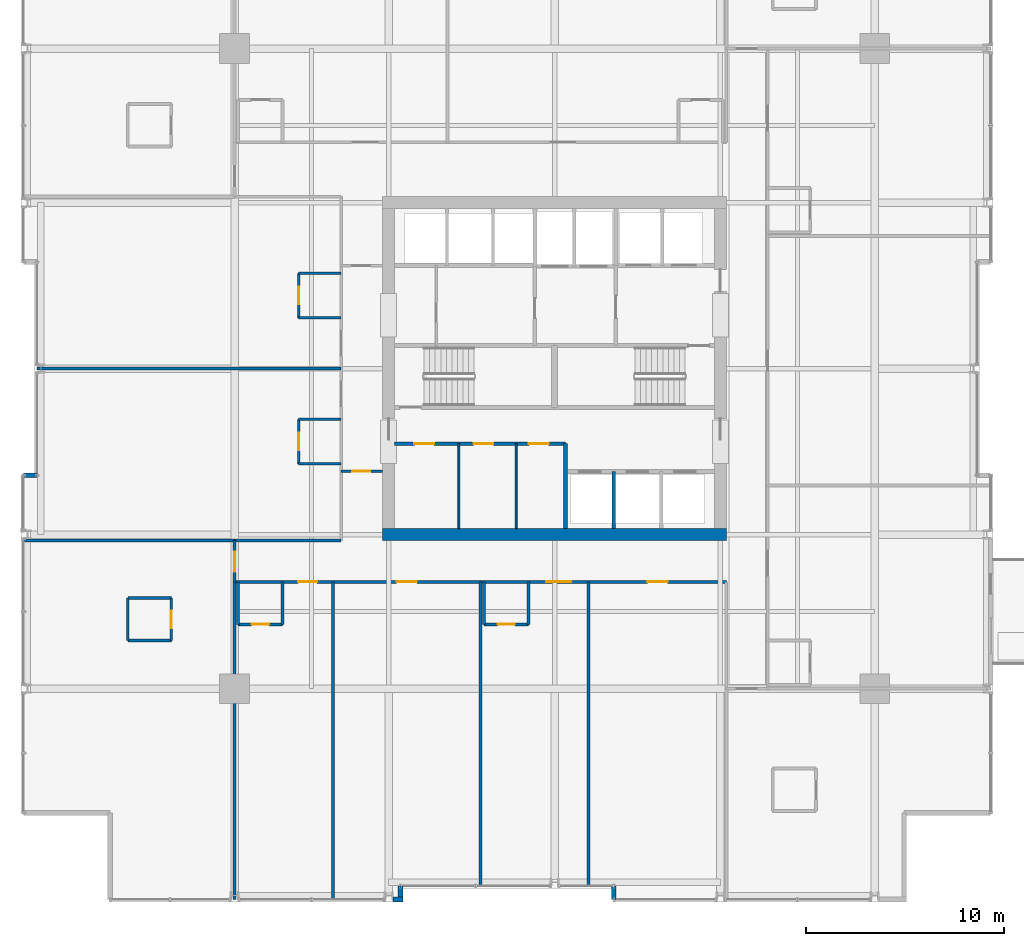
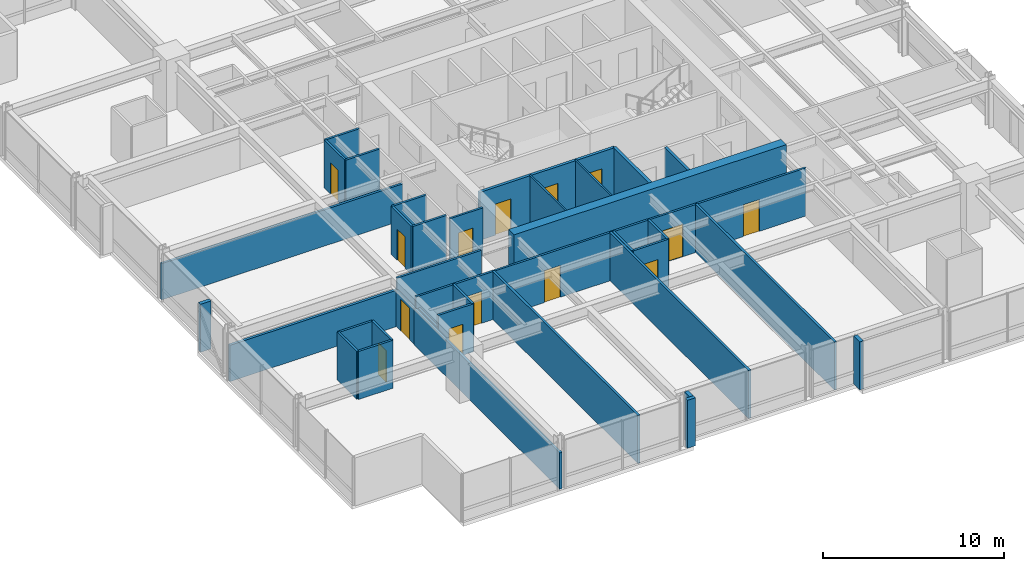
# One storey, part 28 of 34: 36 walls, 14 doors, 14 openings.
"""IFC4 building model written with IfcOpenShell, lengths in metres."""

import ifcopenshell
import ifcopenshell.guid

model = None  # the IFC model being written
_history = None  # IfcOwnerHistory: only IFC2X3 demands one
_inside = {}  # id of a spatial element -> (the spatial element, [elements in it])
_under = {}  # id of a project, library or spatial element -> (it, [spatial elements below it])
_declared = {}  # id of a project -> (the project, [libraries it declares])
_typed = {}  # id of a type object -> (the type object, [elements of that type])
_made_of = {}  # id of a material, layer set ... -> (it, [elements and type objects made of it])


def new_model(schema):
    """Start an empty IFC model of exactly this schema.

    Asked for "IFC4X3", IfcOpenShell would pick the latest addendum, in which some entities
    have other attributes; the version numbers below select the first issue.
    IFC2X3 requires an IfcOwnerHistory on every rooted entity: one is made here for all.
    """
    global model, _history
    if schema == "IFC4X3":
        model = ifcopenshell.file(schema_version=(4, 3, 0, 0))
    else:
        model = ifcopenshell.file(schema=schema)
    _inside.clear()
    _under.clear()
    _declared.clear()
    _typed.clear()
    _made_of.clear()
    _history = None
    if model.schema == "IFC2X3":
        org = make("IfcOrganization", Name="unknown")
        user = make(
            "IfcPersonAndOrganization",
            ThePerson=make("IfcPerson", FamilyName="unknown"),
            TheOrganization=org,
        )
        app = make(
            "IfcApplication",
            ApplicationDeveloper=org,
            Version="unknown",
            ApplicationFullName="unknown",
            ApplicationIdentifier="unknown",
        )
        _history = make(
            "IfcOwnerHistory",
            OwningUser=user,
            OwningApplication=app,
            ChangeAction="ADDED",
            CreationDate=0,
        )
    return model


def make(cls, **values):
    """One entity of the class cls with the attributes given. An attribute that is None is left unset."""
    return model.create_entity(
        cls, **{name: value for name, value in values.items() if value is not None}
    )


def rooted(cls, **values):
    """An entity with a GlobalId (a new one), such as an element, a storey or a relation."""
    return make(cls, GlobalId=ifcopenshell.guid.new(), OwnerHistory=_history, **values)


def si_unit(unit_type, name, prefix=None):
    """IfcSIUnit, for example si_unit("LENGTHUNIT", "METRE", prefix="MILLI")."""
    return make("IfcSIUnit", UnitType=unit_type, Prefix=prefix, Name=name)


def assignment(units):
    """IfcUnitAssignment: the units of a project."""
    return None if units is None else make("IfcUnitAssignment", Units=units)


def point(xyz):
    """IfcCartesianPoint."""
    return None if xyz is None else make("IfcCartesianPoint", Coordinates=xyz)


def direction(xyz):
    """IfcDirection."""
    return None if xyz is None else make("IfcDirection", DirectionRatios=xyz)


def frame(location, z_axis=None, x_axis=None):
    """IfcAxis2Placement3D, a coordinate frame: its origin and axes. An axis left out is left unset."""
    return make(
        "IfcAxis2Placement3D",
        Location=point(location),
        Axis=direction(z_axis),
        RefDirection=direction(x_axis),
    )


def frame_2d(location, x_axis=None):
    """IfcAxis2Placement2D, a coordinate frame in the plane: its origin and x axis."""
    return make(
        "IfcAxis2Placement2D", Location=point(location), RefDirection=direction(x_axis)
    )


def origin():
    """The frame at (0, 0, 0) with its axes left unset."""
    return frame((0.0, 0.0, 0.0))


def place(relative_to, where):
    """IfcLocalPlacement: puts the frame where relative to a parent placement (None: the world)."""
    return make(
        "IfcLocalPlacement", PlacementRelTo=relative_to, RelativePlacement=where
    )


def context(
    kind, dimensions, precision=None, world=None, true_north=None, identifier=None
):
    """IfcGeometricRepresentationContext, for example the 3D "Model" context."""
    return make(
        "IfcGeometricRepresentationContext",
        ContextIdentifier=identifier,
        ContextType=kind,
        CoordinateSpaceDimension=dimensions,
        Precision=precision,
        WorldCoordinateSystem=world,
        TrueNorth=true_north,
    )


def subcontext(parent, identifier, kind, view, scale=None):
    """IfcGeometricRepresentationSubContext, for example "Body" below "Model"."""
    return make(
        "IfcGeometricRepresentationSubContext",
        ContextIdentifier=identifier,
        ContextType=kind,
        ParentContext=parent,
        TargetScale=scale,
        TargetView=view,
    )


def project(units=None, contexts=None):
    """IfcProject with its units and contexts."""
    return rooted(
        "IfcProject",
        Name="project",
        RepresentationContexts=contexts,
        UnitsInContext=assignment(units),
    )


def spatial(cls, under=None, at=None, **own):
    """A site, building, storey or space (cls), placed at a placement, below another one or the project."""
    s = rooted(cls, ObjectPlacement=at, **own)
    if under is not None:
        _under.setdefault(under.id(), (under, []))[1].append(s)
    return s


def profile(cls, at=None, kind="AREA", **sizes):
    """A parametric profile (cls). Its sizes go by their IFC names, for example OverallWidth=200.0."""
    return make(cls, ProfileType=kind, Position=at, **sizes)


def rectangle(**sizes):
    """IfcRectangleProfileDef."""
    return profile("IfcRectangleProfileDef", **sizes)


def extrude(swept, where, along, depth):
    """IfcExtrudedAreaSolid: the profile swept, set in the frame where, extruded along a direction by depth."""
    return make(
        "IfcExtrudedAreaSolid",
        SweptArea=swept,
        Position=where,
        ExtrudedDirection=direction(along),
        Depth=depth,
    )


def shape(context_of_items, identifier, shape_type, items):
    """IfcShapeRepresentation: the items that make up one representation, for example the "Body"."""
    return make(
        "IfcShapeRepresentation",
        ContextOfItems=context_of_items,
        RepresentationIdentifier=identifier,
        RepresentationType=shape_type,
        Items=items,
    )


def material(Name=None, Category=None):
    """IfcMaterial."""
    return make("IfcMaterial", Name=Name, Category=Category)


def layer(
    of_material, thickness, ventilated=None, Name=None, Category=None, Priority=None
):
    """IfcMaterialLayer: one layer of a wall or slab, of a material (None: an air gap)."""
    return make(
        "IfcMaterialLayer",
        Material=of_material,
        LayerThickness=thickness,
        IsVentilated=ventilated,
        Name=Name,
        Category=Category,
        Priority=Priority,
    )


def layer_set(layers, Name=None):
    """IfcMaterialLayerSet."""
    return make("IfcMaterialLayerSet", MaterialLayers=layers, LayerSetName=Name)


def made_of(thing, what):
    """Note that an element or type object is made of a material, layer set ...; save() writes the relation."""
    if what is not None:
        _made_of.setdefault(what.id(), (what, []))[1].append(thing)
    return thing


def type_object(cls, material=None, **own):
    """A type object (cls), such as IfcWallType, which elements share."""
    return made_of(rooted(cls, **own), material)


def element(
    cls,
    number,
    at=None,
    inside=None,
    cuts=None,
    type_object=None,
    material=None,
    context=None,
    identifier="Body",
    shape_type=None,
    held_by="IfcProductDefinitionShape",
    body=None,
    shapes=None,
    **own,
):
    """One element of the class cls, such as IfcWall. Its Tag is "e" and its number.

    at: its placement. inside: the storey or other place that contains it. cuts: it is an
    opening in that element (IfcRelVoidsElement). A single representation is given by context,
    identifier, shape_type and body (its items); several are given by shapes. held_by: the class
    of the entity that holds the representations. save() writes the other relations.
    """
    e = rooted(cls, Tag="e%d" % number, ObjectPlacement=at, **own)
    if body is not None:
        shapes = [shape(context, identifier, shape_type, body)]
    if shapes is not None:
        e.Representation = make(held_by, Representations=shapes)
    if inside is not None:
        _inside.setdefault(inside.id(), (inside, []))[1].append(e)
    if cuts is not None:
        rooted(
            "IfcRelVoidsElement", RelatingBuildingElement=cuts, RelatedOpeningElement=e
        )
    if type_object is not None:
        _typed.setdefault(type_object.id(), (type_object, []))[1].append(e)
    return made_of(e, material)


def fill(opening, filler):
    """IfcRelFillsElement: the door or window that sits in an opening."""
    return rooted(
        "IfcRelFillsElement",
        RelatingOpeningElement=opening,
        RelatedBuildingElement=filler,
    )


def aggregate(whole, parts):
    """IfcRelAggregates: a whole, such as a stair, and the parts it consists of."""
    return rooted("IfcRelAggregates", RelatingObject=whole, RelatedObjects=parts)


def save(model, path):
    """Write the relations noted so far, then the file.

    IfcRelAggregates (storeys below a building ...), IfcRelContainedInSpatialStructure (elements
    in a storey), IfcRelDefinesByType, IfcRelAssociatesMaterial and IfcRelDeclares: one each for
    every whole, place, type object, material and project.
    """
    for whole, parts in _under.values():
        aggregate(whole, parts)
    for where, things in _inside.values():
        rooted(
            "IfcRelContainedInSpatialStructure",
            RelatedElements=things,
            RelatingStructure=where,
        )
    for kind, things in _typed.values():
        rooted("IfcRelDefinesByType", RelatedObjects=things, RelatingType=kind)
    for what, things in _made_of.values():
        rooted("IfcRelAssociatesMaterial", RelatedObjects=things, RelatingMaterial=what)
    for by, libraries in _declared.values():
        rooted("IfcRelDeclares", RelatingContext=by, RelatedDefinitions=libraries)
    model.write(path)


model = new_model("IFC4")

# Units and contexts
model_context = context("Model", 3, precision=1e-05, world=origin(), true_north=direction((0.0, 1.0)))
body_context = subcontext(model_context, "Body", "Model", "MODEL_VIEW")
ifc_project = project(units=[si_unit("LENGTHUNIT", "METRE"), si_unit("AREAUNIT", "SQUARE_METRE"), si_unit("VOLUMEUNIT", "CUBIC_METRE"), si_unit("PLANEANGLEUNIT", "RADIAN"), si_unit("MASSUNIT", "GRAM", prefix="KILO")], contexts=[model_context])

# Site, building, storey
site_placement = place(None, origin())
site = spatial("IfcSite", under=ifc_project, at=site_placement, CompositionType="ELEMENT")
building_placement = place(site_placement, origin())
building = spatial("IfcBuilding", under=site, at=building_placement, Name="Drelvath Grand Hotel", CompositionType="ELEMENT")
storey_placement = place(building_placement, frame((0.0, 0.0, 112.800048828125)))
storey = spatial("IfcBuildingStorey", under=building, at=storey_placement, Name="L28", CompositionType="ELEMENT", Elevation=112.800048828125)

# Walls
ifc_material_1 = material(Name="Gypsum Partition Board")
ifc_layer_1 = layer(ifc_material_1, 0.10009765625)
ifc_layer_set_1 = layer_set([ifc_layer_1], Name="Gypsum Partition Board")
wall_type_1 = type_object("IfcWallType", Name="Core Closet Partition 100", PredefinedType="PARTITIONING", material=ifc_layer_set_1)
for number, where, z_axis, x_axis, name in (
    (1, (-4.840087890625, 18.89990234375, 0.0), (0.0, 0.0, 1.0), (0.0, 1.0, 0.0), "L28 Reclaimed Split 1"),
    (2, (-1.93994140625, 18.89990234375, 0.0), (0.0, 0.0, 1.0), (0.0, 1.0, 0.0), "L28 Reclaimed Split 2"),
):
    element("IfcWall", number, at=place(storey_placement, frame(where, z_axis=z_axis, x_axis=x_axis)), inside=storey, type_object=wall_type_1, Name=name, PredefinedType="PARTITIONING", context=body_context, shape_type="SweptSolid", body=[
        extrude(rectangle(XDim=4.300048828125, YDim=0.10009765625, at=frame_2d((2.14990234375, 0.0))), origin(), (0.0, 0.0, 1.0), 3.239990234375),
    ])
ifc_material_2 = material(Name="Concrete C40/50", Category="concrete")
ifc_layer_2 = layer(ifc_material_2, 0.199951171875)
ifc_layer_set_2 = layer_set([ifc_layer_2], Name="Concrete C40/50")
wall_type_2 = type_object("IfcWallType", Name="Core Hoistway Fire Wall 200", PredefinedType="SOLIDWALL", material=ifc_layer_set_2)
wall_1_placement = place(storey_placement, frame((0.550048828125, 18.89990234375, 0.0), z_axis=(0.0, 0.0, 1.0), x_axis=(0.0, 1.0, 0.0)))
element("IfcWall", 3, at=wall_1_placement, inside=storey, type_object=wall_type_2, Name="L28 Bank 2 West Wall", PredefinedType="SOLIDWALL", context=body_context, shape_type="SweptSolid", body=[
    extrude(rectangle(XDim=4.300048828125, YDim=0.199951171875, at=frame_2d((2.14990234375, 0.0))), origin(), (0.0, 0.0, 1.0), 3.239990234375),
])
ifc_material_3 = material(Name="Gypsum Fireboard Partition")
ifc_layer_3 = layer(ifc_material_3, 0.1650390625)
ifc_layer_set_3 = layer_set([ifc_layer_3], Name="Gypsum Fireboard Partition")
wall_type_3 = type_object("IfcWallType", Name="Core Shaft Partition 165", PredefinedType="PARTITIONING", material=ifc_layer_set_3)
wall_2_placement = place(storey_placement, frame((3.0, 18.89990234375, 0.0), z_axis=(0.0, 0.0, 1.0), x_axis=(0.0, 1.0, 0.0)))
element("IfcWall", 4, at=wall_2_placement, inside=storey, type_object=wall_type_3, Name="L28 Lift PE-4/5 Divider", PredefinedType="PARTITIONING", context=body_context, shape_type="SweptSolid", body=[
    extrude(rectangle(XDim=2.880126953125, YDim=0.1650390625, at=frame_2d((1.43994140625, 0.0))), origin(), (0.0, 0.0, 1.0), 3.239990234375),
])

# Wall, opening, door
ifc_layer_4 = layer(ifc_material_3, 0.135009765625)
ifc_layer_set_4 = layer_set([ifc_layer_4], Name="Gypsum Fireboard Partition")
wall_type_4 = type_object("IfcWallType", Name="Corridor Fire Barrier Wall 135", PredefinedType="PARTITIONING", material=ifc_layer_set_4)
wall_3_placement = place(storey_placement, frame((-10.800048828125, 21.800048828125, 0.0), z_axis=(0.0, 0.0, 1.0), x_axis=(1.0, 0.0, 0.0)))
wall_3 = element("IfcWall", 5, at=wall_3_placement, inside=storey, type_object=wall_type_4, Name="L28 West Foyer South Wall", PredefinedType="PARTITIONING", context=body_context, shape_type="SweptSolid", body=[
    extrude(rectangle(XDim=2.10009765625, YDim=0.135009765625, at=frame_2d((1.050048828125, 0.0))), origin(), (0.0, 0.0, 1.0), 3.239990234375),
])
opening_1_placement = place(wall_3_placement, frame((0.550048828125, 0.0, 0.0)))
opening_1 = element("IfcOpeningElement", 6, at=opening_1_placement, cuts=wall_3, Name="Opening D-T2G3-019", PredefinedType="OPENING", context=body_context, shape_type="SweptSolid", body=[
    extrude(rectangle(XDim=0.919921875, YDim=2.10009765625, at=frame_2d((0.4599609375, 1.050048828125))), frame((0.0, 0.077392578125, 0.0), z_axis=(0.0, -1.0, 0.0), x_axis=(1.0, 0.0, 0.0)), (0.0, 0.0, 1.0), 0.155029296875),
])
ifc_material_4 = material(Name="Painted Steel S275", Category="steel")
door_type_1 = type_object("IfcDoorType", Name="Staff Utility Door 920x2100", OperationType="NOTDEFINED", PredefinedType="DOOR", material=ifc_material_4)
door_1_placement = place(opening_1_placement, origin())
door_1 = element("IfcDoor", 7, at=door_1_placement, inside=storey, type_object=door_type_1, Name="L28 West Linen Closet Door", OperationType="SINGLE_SWING_RIGHT", OverallHeight=2.10009765625, OverallWidth=0.919921875, PredefinedType="DOOR", context=body_context, shape_type="SweptSolid", body=[
    extrude(rectangle(XDim=0.919921875, YDim=2.10009765625, at=frame_2d((0.4599609375, 1.050048828125))), frame((0.0, 0.02490234375, 0.0), z_axis=(0.0, -1.0, 0.0), x_axis=(1.0, 0.0, 0.0)), (0.0, 0.0, 1.0), 0.050048828125),
])
fill(opening_1, door_1)

# Wall
wall_4_placement = place(storey_placement, frame((-16.199951171875, 18.300048828125, 0.0), z_axis=(0.0, 0.0, 1.0), x_axis=(1.0, 0.0, 0.0)))
element("IfcWall", 8, at=wall_4_placement, inside=storey, type_object=wall_type_4, Name="L28 SW Stub North Wall", PredefinedType="PARTITIONING", context=body_context, shape_type="SweptSolid", body=[
    extrude(rectangle(XDim=5.39990234375, YDim=0.135009765625, at=frame_2d((2.699951171875, 0.0))), origin(), (0.0, 0.0, 1.0), 3.239990234375),
])

# Wall, openings, doors
wall_5_placement = place(storey_placement, frame((-16.199951171875, 16.199951171875, 0.0), z_axis=(0.0, 0.0, 1.0), x_axis=(1.0, 0.0, 0.0)))
wall_5 = element("IfcWall", 9, at=wall_5_placement, inside=storey, type_object=wall_type_4, Name="L28 South Stub Corridor Wall", PredefinedType="PARTITIONING", context=body_context, shape_type="SweptSolid", body=[
    extrude(rectangle(XDim=24.89990234375, YDim=0.135009765625, at=frame_2d((12.449951171875, 0.0))), origin(), (0.0, 0.0, 1.0), 3.239990234375),
])
opening_2_placement = place(wall_5_placement, frame((3.22509765625, 0.0, 0.0)))
opening_2 = element("IfcOpeningElement", 10, at=opening_2_placement, cuts=wall_5, Name="Opening D-T2G3-030", PredefinedType="OPENING", context=body_context, shape_type="SweptSolid", body=[
    extrude(rectangle(XDim=0.9599609375, YDim=2.14990234375, at=frame_2d((0.47998046875, 1.074951171875))), frame((0.0, 0.077392578125, 0.0), z_axis=(0.0, -1.0, 0.0), x_axis=(1.0, 0.0, 0.0)), (0.0, 0.0, 1.0), 0.155029296875),
])
opening_3_placement = place(wall_5_placement, frame((8.205078125, 0.0, 0.0)))
opening_3 = element("IfcOpeningElement", 11, at=opening_3_placement, cuts=wall_5, Name="Opening D-T2G3-031", PredefinedType="OPENING", context=body_context, shape_type="SweptSolid", body=[
    extrude(rectangle(XDim=1.02001953125, YDim=2.14990234375, at=frame_2d((0.510009765625, 1.074951171875))), frame((0.0, 0.077392578125, 0.0), z_axis=(0.0, -1.0, 0.0), x_axis=(1.0, 0.0, 0.0)), (0.0, 0.0, 1.0), 0.155029296875),
])
opening_4_placement = place(wall_5_placement, frame((15.77392578125, 0.0, 0.0)))
opening_4 = element("IfcOpeningElement", 12, at=opening_4_placement, cuts=wall_5, Name="Opening D-T2G3-033", PredefinedType="OPENING", context=body_context, shape_type="SweptSolid", body=[
    extrude(rectangle(XDim=1.260009765625, YDim=2.199951171875, at=frame_2d((0.6298828125, 1.10009765625))), frame((0.0, 0.077392578125, 0.0), z_axis=(0.0, -1.0, 0.0), x_axis=(1.0, 0.0, 0.0)), (0.0, 0.0, 1.0), 0.155029296875),
])
opening_5_placement = place(wall_5_placement, frame((20.904052734375, 0.0, 0.0)))
opening_5 = element("IfcOpeningElement", 13, at=opening_5_placement, cuts=wall_5, Name="Opening D-T2G3-034", PredefinedType="OPENING", context=body_context, shape_type="SweptSolid", body=[
    extrude(rectangle(XDim=1.02001953125, YDim=2.14990234375, at=frame_2d((0.510009765625, 1.074951171875))), frame((0.0, 0.077392578125, 0.0), z_axis=(0.0, -1.0, 0.0), x_axis=(1.0, 0.0, 0.0)), (0.0, 0.0, 1.0), 0.155029296875),
])
ifc_material_5 = material(Name="Hardwood Walnut Timber", Category="wood")
door_type_2 = type_object("IfcDoorType", Name="Amenity Meeting Fire Door 1020x2150", OperationType="NOTDEFINED", PredefinedType="DOOR", material=ifc_material_5)
door_2_placement = place(opening_3_placement, origin())
door_2 = element("IfcDoor", 14, at=door_2_placement, inside=storey, type_object=door_type_2, Name="L28 Spa Hydrotherapy Room Entry Door", OperationType="SINGLE_SWING_RIGHT", OverallHeight=2.14990234375, OverallWidth=1.02001953125, PredefinedType="DOOR", context=body_context, shape_type="SweptSolid", body=[
    extrude(rectangle(XDim=1.02001953125, YDim=2.14990234375, at=frame_2d((0.510009765625, 1.074951171875))), frame((0.0, 0.02490234375, 0.0), z_axis=(0.0, -1.0, 0.0), x_axis=(1.0, 0.0, 0.0)), (0.0, 0.0, 1.0), 0.050048828125),
])
fill(opening_3, door_2)
door_3_placement = place(opening_5_placement, origin())
door_3 = element("IfcDoor", 15, at=door_3_placement, inside=storey, type_object=door_type_2, Name="L28 Massage Therapy Room Entry Door", OperationType="SINGLE_SWING_LEFT", OverallHeight=2.14990234375, OverallWidth=1.02001953125, PredefinedType="DOOR", context=body_context, shape_type="SweptSolid", body=[
    extrude(rectangle(XDim=1.02001953125, YDim=2.14990234375, at=frame_2d((0.510009765625, 1.074951171875))), frame((0.0, 0.02490234375, 0.0), z_axis=(0.0, -1.0, 0.0), x_axis=(1.0, 0.0, 0.0)), (0.0, 0.0, 1.0), 0.050048828125),
])
fill(opening_5, door_3)
door_type_3 = type_object("IfcDoorType", Name="Guestroom Entrance Fire Door 960x2150", OperationType="NOTDEFINED", PredefinedType="DOOR", material=ifc_material_5)
door_4_placement = place(opening_2_placement, origin())
door_4 = element("IfcDoor", 16, at=door_4_placement, inside=storey, type_object=door_type_3, Name="L28 Deluxe Guest Room Entry Door", OperationType="SINGLE_SWING_LEFT", OverallHeight=2.14990234375, OverallWidth=0.9599609375, PredefinedType="DOOR", context=body_context, shape_type="SweptSolid", body=[
    extrude(rectangle(XDim=0.9599609375, YDim=2.14990234375, at=frame_2d((0.47998046875, 1.074951171875))), frame((0.0, 0.02490234375, 0.0), z_axis=(0.0, -1.0, 0.0), x_axis=(1.0, 0.0, 0.0)), (0.0, 0.0, 1.0), 0.050048828125),
])
fill(opening_2, door_4)
door_type_4 = type_object("IfcDoorType", Name="Suite Entrance Fire Door 1260x2200", OperationType="NOTDEFINED", PredefinedType="DOOR", material=ifc_material_5)
door_5_placement = place(opening_4_placement, origin())
door_5 = element("IfcDoor", 17, at=door_5_placement, inside=storey, type_object=door_type_4, Name="L28 Corner Suite Entry Door", OperationType="SINGLE_SWING_RIGHT", OverallHeight=2.199951171875, OverallWidth=1.260009765625, PredefinedType="DOOR", context=body_context, shape_type="SweptSolid", body=[
    extrude(rectangle(XDim=1.260009765625, YDim=2.199951171875, at=frame_2d((0.6298828125, 1.10009765625))), frame((0.0, 0.02490234375, 0.0), z_axis=(0.0, -1.0, 0.0), x_axis=(1.0, 0.0, 0.0)), (0.0, 0.0, 1.0), 0.050048828125),
])
fill(opening_4, door_5)

# Wall, opening, door
wall_6_placement = place(storey_placement, frame((-16.199951171875, 16.199951171875, 0.0), z_axis=(0.0, 0.0, 1.0), x_axis=(0.0, 1.0, 0.0)))
wall_6 = element("IfcWall", 18, at=wall_6_placement, inside=storey, type_object=wall_type_4, Name="L28 South Stub West End", PredefinedType="PARTITIONING", context=body_context, shape_type="SweptSolid", body=[
    extrude(rectangle(XDim=2.10009765625, YDim=0.135009765625, at=frame_2d((1.050048828125, 0.0))), origin(), (0.0, 0.0, 1.0), 2.45166015625),
])
opening_6_placement = place(wall_6_placement, frame((0.52001953125, 0.0, 0.0)))
opening_6 = element("IfcOpeningElement", 19, at=opening_6_placement, cuts=wall_6, Name="Opening D-T2G3-022", PredefinedType="OPENING", context=body_context, shape_type="SweptSolid", body=[
    extrude(rectangle(XDim=1.02001953125, YDim=2.14990234375, at=frame_2d((0.510009765625, 1.074951171875))), frame((0.0, 0.077392578125, 0.0), z_axis=(0.0, -1.0, 0.0), x_axis=(1.0, 0.0, 0.0)), (0.0, 0.0, 1.0), 0.155029296875),
])
door_6_placement = place(opening_6_placement, origin())
door_6 = element("IfcDoor", 20, at=door_6_placement, inside=storey, type_object=door_type_2, Name="L28 Corner Suite Entry Door", OperationType="SINGLE_SWING_LEFT", OverallHeight=2.14990234375, OverallWidth=1.02001953125, PredefinedType="DOOR", context=body_context, shape_type="SweptSolid", body=[
    extrude(rectangle(XDim=1.02001953125, YDim=2.14990234375, at=frame_2d((0.510009765625, 1.074951171875))), frame((0.0, 0.02490234375, 0.0), z_axis=(0.0, -1.0, 0.0), x_axis=(1.0, 0.0, 0.0)), (0.0, 0.0, 1.0), 0.050048828125),
])
fill(opening_6, door_6)

# Walls
ifc_material_6 = material(Name="Moisture-Resistant Gypsum Board")
ifc_layer_5 = layer(ifc_material_6, 0.139892578125)
ifc_layer_set_5 = layer_set([ifc_layer_5], Name="Moisture-Resistant Gypsum Board")
wall_type_5 = type_object("IfcWallType", Name="En-Suite Plumbing Wall 140", PredefinedType="PLUMBINGWALL", material=ifc_layer_set_5)
for number, where, z_axis, x_axis, name in (
    (21, (-21.60009765625, 13.239990234375, 0.0), (0.0, 0.0, 1.0), (1.0, 0.0, 0.0), "L28 Corner En-Suite South"),
    (22, (-21.60009765625, 15.389892578125, 0.0), (0.0, 0.0, 1.0), (1.0, 0.0, 0.0), "L28 Corner En-Suite North"),
):
    element("IfcWall", number, at=place(storey_placement, frame(where, z_axis=z_axis, x_axis=x_axis)), inside=storey, type_object=wall_type_5, Name=name, PredefinedType="PLUMBINGWALL", context=body_context, shape_type="SweptSolid", body=[
        extrude(rectangle(XDim=2.2001953125, YDim=0.139892578125, at=frame_2d((1.10009765625, 0.0))), origin(), (0.0, 0.0, 1.0), 3.239990234375),
    ])
wall_7_placement = place(storey_placement, frame((-21.60009765625, 13.239990234375, 0.0), z_axis=(0.0, 0.0, 1.0), x_axis=(0.0, 1.0, 0.0)))
element("IfcWall", 23, at=wall_7_placement, inside=storey, type_object=wall_type_5, Name="L28 Corner En-Suite West", PredefinedType="PLUMBINGWALL", context=body_context, shape_type="SweptSolid", body=[
    extrude(rectangle(XDim=2.14990234375, YDim=0.139892578125, at=frame_2d((1.074951171875, 0.0))), origin(), (0.0, 0.0, 1.0), 3.239990234375),
])

# Wall, opening, door
wall_8_placement = place(storey_placement, frame((-19.39990234375, 13.239990234375, 0.0), z_axis=(0.0, 0.0, 1.0), x_axis=(0.0, 1.0, 0.0)))
wall_8 = element("IfcWall", 24, at=wall_8_placement, inside=storey, type_object=wall_type_5, Name="L28 Corner En-Suite East", PredefinedType="PLUMBINGWALL", context=body_context, shape_type="SweptSolid", body=[
    extrude(rectangle(XDim=2.14990234375, YDim=0.139892578125, at=frame_2d((1.074951171875, 0.0))), origin(), (0.0, 0.0, 1.0), 3.239990234375),
])
opening_7_placement = place(wall_8_placement, frame((0.6201171875, 0.0, 0.0)))
opening_7 = element("IfcOpeningElement", 25, at=opening_7_placement, cuts=wall_8, Name="Opening D-T2G3-021", PredefinedType="OPENING", context=body_context, shape_type="SweptSolid", body=[
    extrude(rectangle(XDim=0.8798828125, YDim=2.10009765625, at=frame_2d((0.43994140625, 1.050048828125))), frame((0.0, 0.079833984375, 0.0), z_axis=(0.0, -1.0, 0.0), x_axis=(1.0, 0.0, 0.0)), (0.0, 0.0, 1.0), 0.159912109375),
])
door_type_5 = type_object("IfcDoorType", Name="En-Suite Bathroom Door 880x2100", OperationType="NOTDEFINED", PredefinedType="DOOR", material=ifc_material_5)
door_7_placement = place(opening_7_placement, origin())
door_7 = element("IfcDoor", 26, at=door_7_placement, inside=storey, type_object=door_type_5, Name="L28 Corner En-Suite Door", OperationType="SINGLE_SWING_RIGHT", OverallHeight=2.10009765625, OverallWidth=0.8798828125, PredefinedType="DOOR", context=body_context, shape_type="SweptSolid", body=[
    extrude(rectangle(XDim=0.8798828125, YDim=2.10009765625, at=frame_2d((0.43994140625, 1.050048828125))), frame((0.0, 0.02490234375, 0.0), z_axis=(0.0, -1.0, 0.0), x_axis=(1.0, 0.0, 0.0)), (0.0, 0.0, 1.0), 0.050048828125),
])
fill(opening_7, door_7)

# Walls
wall_9_placement = place(storey_placement, frame((-16.02001953125, 16.199951171875, 0.0), z_axis=(0.0, 0.0, 1.0), x_axis=(0.0, -1.0, 0.0)))
element("IfcWall", 27, at=wall_9_placement, inside=storey, type_object=wall_type_5, Name="L28 En-Suite Left Wall", PredefinedType="PLUMBINGWALL", context=body_context, shape_type="SweptSolid", body=[
    extrude(rectangle(XDim=2.14990234375, YDim=0.139892578125, at=frame_2d((1.074951171875, 0.0))), origin(), (0.0, 0.0, 1.0), 2.45166015625),
])
wall_10_placement = place(storey_placement, frame((-13.77001953125, 16.199951171875, 0.0), z_axis=(0.0, 0.0, 1.0), x_axis=(0.0, -1.0, 0.0)))
element("IfcWall", 28, at=wall_10_placement, inside=storey, type_object=wall_type_5, Name="L28 En-Suite Right Wall", PredefinedType="PLUMBINGWALL", context=body_context, shape_type="SweptSolid", body=[
    extrude(rectangle(XDim=2.14990234375, YDim=0.139892578125, at=frame_2d((1.074951171875, 0.0))), origin(), (0.0, 0.0, 1.0), 3.239990234375),
])

# Wall, opening, door
wall_11_placement = place(storey_placement, frame((-16.02001953125, 14.050048828125, 0.0), z_axis=(0.0, 0.0, 1.0), x_axis=(1.0, 0.0, 0.0)))
wall_11 = element("IfcWall", 29, at=wall_11_placement, inside=storey, type_object=wall_type_5, Name="L28 En-Suite Front Wall", PredefinedType="PLUMBINGWALL", context=body_context, shape_type="SweptSolid", body=[
    extrude(rectangle(XDim=2.25, YDim=0.139892578125, at=frame_2d((1.125, 0.0))), origin(), (0.0, 0.0, 1.0), 3.239990234375),
])
opening_8_placement = place(wall_11_placement, frame((0.68505859375, 0.0, 0.0)))
opening_8 = element("IfcOpeningElement", 30, at=opening_8_placement, cuts=wall_11, Name="Opening D-T2G3-029", PredefinedType="OPENING", context=body_context, shape_type="SweptSolid", body=[
    extrude(rectangle(XDim=0.8798828125, YDim=2.10009765625, at=frame_2d((0.43994140625, 1.050048828125))), frame((0.0, 0.079833984375, 0.0), z_axis=(0.0, -1.0, 0.0), x_axis=(1.0, 0.0, 0.0)), (0.0, 0.0, 1.0), 0.159912109375),
])
door_8_placement = place(opening_8_placement, origin())
door_8 = element("IfcDoor", 31, at=door_8_placement, inside=storey, type_object=door_type_5, Name="L28 En-Suite Bathroom Door", OperationType="SINGLE_SWING_RIGHT", OverallHeight=2.10009765625, OverallWidth=0.8798828125, PredefinedType="DOOR", context=body_context, shape_type="SweptSolid", body=[
    extrude(rectangle(XDim=0.8798828125, YDim=2.10009765625, at=frame_2d((0.43994140625, 1.050048828125))), frame((0.0, 0.02490234375, 0.0), z_axis=(0.0, -1.0, 0.0), x_axis=(1.0, 0.0, 0.0)), (0.0, 0.0, 1.0), 0.050048828125),
])
fill(opening_8, door_8)

# Walls
for number, where, z_axis, x_axis, name in (
    (32, (-3.570068359375, 16.199951171875, 0.0), (0.0, 0.0, 1.0), (0.0, -1.0, 0.0), "L28 En-Suite Left Wall"),
    (33, (-1.320068359375, 16.199951171875, 0.0), (0.0, 0.0, 1.0), (0.0, -1.0, 0.0), "L28 En-Suite Right Wall"),
):
    element("IfcWall", number, at=place(storey_placement, frame(where, z_axis=z_axis, x_axis=x_axis)), inside=storey, type_object=wall_type_5, Name=name, PredefinedType="PLUMBINGWALL", context=body_context, shape_type="SweptSolid", body=[
        extrude(rectangle(XDim=2.14990234375, YDim=0.139892578125, at=frame_2d((1.074951171875, 0.0))), origin(), (0.0, 0.0, 1.0), 3.239990234375),
    ])

# Wall, opening, door
wall_12_placement = place(storey_placement, frame((-3.570068359375, 14.050048828125, 0.0), z_axis=(0.0, 0.0, 1.0), x_axis=(1.0, 0.0, 0.0)))
wall_12 = element("IfcWall", 34, at=wall_12_placement, inside=storey, type_object=wall_type_5, Name="L28 En-Suite Front Wall", PredefinedType="PLUMBINGWALL", context=body_context, shape_type="SweptSolid", body=[
    extrude(rectangle(XDim=2.25, YDim=0.139892578125, at=frame_2d((1.125, 0.0))), origin(), (0.0, 0.0, 1.0), 3.239990234375),
])
opening_9_placement = place(wall_12_placement, frame((0.68505859375, 0.0, 0.0)))
opening_9 = element("IfcOpeningElement", 35, at=opening_9_placement, cuts=wall_12, Name="Opening D-T2G3-032", PredefinedType="OPENING", context=body_context, shape_type="SweptSolid", body=[
    extrude(rectangle(XDim=0.8798828125, YDim=2.10009765625, at=frame_2d((0.43994140625, 1.050048828125))), frame((0.0, 0.079833984375, 0.0), z_axis=(0.0, -1.0, 0.0), x_axis=(1.0, 0.0, 0.0)), (0.0, 0.0, 1.0), 0.159912109375),
])
door_9_placement = place(opening_9_placement, origin())
door_9 = element("IfcDoor", 36, at=door_9_placement, inside=storey, type_object=door_type_5, Name="L28 En-Suite Bathroom Door", OperationType="SINGLE_SWING_LEFT", OverallHeight=2.10009765625, OverallWidth=0.8798828125, PredefinedType="DOOR", context=body_context, shape_type="SweptSolid", body=[
    extrude(rectangle(XDim=0.8798828125, YDim=2.10009765625, at=frame_2d((0.43994140625, 1.050048828125))), frame((0.0, 0.02490234375, 0.0), z_axis=(0.0, -1.0, 0.0), x_axis=(1.0, 0.0, 0.0)), (0.0, 0.0, 1.0), 0.050048828125),
])
fill(opening_9, door_9)

# Walls
for number, where, z_axis, x_axis, name in (
    (37, (-10.800048828125, 22.179931640625, 0.0), (0.0, 0.0, 1.0), (-1.0, 0.0, 0.0), "L28 En-Suite Left Wall"),
    (38, (-10.800048828125, 24.429931640625, 0.0), (0.0, 0.0, 1.0), (-1.0, 0.0, 0.0), "L28 En-Suite Right Wall"),
):
    element("IfcWall", number, at=place(storey_placement, frame(where, z_axis=z_axis, x_axis=x_axis)), inside=storey, type_object=wall_type_5, Name=name, PredefinedType="PLUMBINGWALL", context=body_context, shape_type="SweptSolid", body=[
        extrude(rectangle(XDim=2.14990234375, YDim=0.139892578125, at=frame_2d((1.074951171875, 0.0))), origin(), (0.0, 0.0, 1.0), 3.239990234375),
    ])

# Wall, opening, door
wall_13_placement = place(storey_placement, frame((-12.949951171875, 22.179931640625, 0.0), z_axis=(0.0, 0.0, 1.0), x_axis=(0.0, 1.0, 0.0)))
wall_13 = element("IfcWall", 39, at=wall_13_placement, inside=storey, type_object=wall_type_5, Name="L28 En-Suite Front Wall", PredefinedType="PLUMBINGWALL", context=body_context, shape_type="SweptSolid", body=[
    extrude(rectangle(XDim=2.25, YDim=0.139892578125, at=frame_2d((1.125, 0.0))), origin(), (0.0, 0.0, 1.0), 3.239990234375),
])
opening_10_placement = place(wall_13_placement, frame((0.68505859375, 0.0, 0.0)))
opening_10 = element("IfcOpeningElement", 40, at=opening_10_placement, cuts=wall_13, Name="Opening D-T2G3-044", PredefinedType="OPENING", context=body_context, shape_type="SweptSolid", body=[
    extrude(rectangle(XDim=0.8798828125, YDim=2.10009765625, at=frame_2d((0.43994140625, 1.050048828125))), frame((0.0, 0.079833984375, 0.0), z_axis=(0.0, -1.0, 0.0), x_axis=(1.0, 0.0, 0.0)), (0.0, 0.0, 1.0), 0.159912109375),
])
door_10_placement = place(opening_10_placement, origin())
door_10 = element("IfcDoor", 41, at=door_10_placement, inside=storey, type_object=door_type_5, Name="L28 En-Suite Bathroom Door", OperationType="SINGLE_SWING_LEFT", OverallHeight=2.10009765625, OverallWidth=0.8798828125, PredefinedType="DOOR", context=body_context, shape_type="SweptSolid", body=[
    extrude(rectangle(XDim=0.8798828125, YDim=2.10009765625, at=frame_2d((0.43994140625, 1.050048828125))), frame((0.0, 0.02490234375, 0.0), z_axis=(0.0, -1.0, 0.0), x_axis=(1.0, 0.0, 0.0)), (0.0, 0.0, 1.0), 0.050048828125),
])
fill(opening_10, door_10)

# Walls
for number, where, z_axis, x_axis, name in (
    (42, (-10.800048828125, 29.570068359375, 0.0), (0.0, 0.0, 1.0), (-1.0, 0.0, 0.0), "L28 En-Suite Left Wall"),
    (43, (-10.800048828125, 31.820068359375, 0.0), (0.0, 0.0, 1.0), (-1.0, 0.0, 0.0), "L28 En-Suite Right Wall"),
):
    element("IfcWall", number, at=place(storey_placement, frame(where, z_axis=z_axis, x_axis=x_axis)), inside=storey, type_object=wall_type_5, Name=name, PredefinedType="PLUMBINGWALL", context=body_context, shape_type="SweptSolid", body=[
        extrude(rectangle(XDim=2.14990234375, YDim=0.139892578125, at=frame_2d((1.074951171875, 0.0))), origin(), (0.0, 0.0, 1.0), 3.239990234375),
    ])

# Wall, opening, door
wall_14_placement = place(storey_placement, frame((-12.949951171875, 29.570068359375, 0.0), z_axis=(0.0, 0.0, 1.0), x_axis=(0.0, 1.0, 0.0)))
wall_14 = element("IfcWall", 44, at=wall_14_placement, inside=storey, type_object=wall_type_5, Name="L28 En-Suite Front Wall", PredefinedType="PLUMBINGWALL", context=body_context, shape_type="SweptSolid", body=[
    extrude(rectangle(XDim=2.25, YDim=0.139892578125, at=frame_2d((1.125, 0.0))), origin(), (0.0, 0.0, 1.0), 3.239990234375),
])
opening_11_placement = place(wall_14_placement, frame((0.68505859375, 0.0, 0.0)))
opening_11 = element("IfcOpeningElement", 45, at=opening_11_placement, cuts=wall_14, Name="Opening D-T2G3-046", PredefinedType="OPENING", context=body_context, shape_type="SweptSolid", body=[
    extrude(rectangle(XDim=0.8798828125, YDim=2.10009765625, at=frame_2d((0.43994140625, 1.050048828125))), frame((0.0, 0.079833984375, 0.0), z_axis=(0.0, -1.0, 0.0), x_axis=(1.0, 0.0, 0.0)), (0.0, 0.0, 1.0), 0.159912109375),
])
door_11_placement = place(opening_11_placement, origin())
door_11 = element("IfcDoor", 46, at=door_11_placement, inside=storey, type_object=door_type_5, Name="L28 En-Suite Bathroom Door", OperationType="SINGLE_SWING_LEFT", OverallHeight=2.10009765625, OverallWidth=0.8798828125, PredefinedType="DOOR", context=body_context, shape_type="SweptSolid", body=[
    extrude(rectangle(XDim=0.8798828125, YDim=2.10009765625, at=frame_2d((0.43994140625, 1.050048828125))), frame((0.0, 0.02490234375, 0.0), z_axis=(0.0, -1.0, 0.0), x_axis=(1.0, 0.0, 0.0)), (0.0, 0.0, 1.0), 0.050048828125),
])
fill(opening_11, door_11)

# Wall, openings, doors
ifc_layer_6 = layer(ifc_material_3, 0.179931640625)
ifc_layer_set_6 = layer_set([ifc_layer_6], Name="Gypsum Fireboard Partition")
wall_type_6 = type_object("IfcWallType", Name="FSAE Smoke Lobby Fire Wall 180", PredefinedType="SOLIDWALL", material=ifc_layer_set_6)
wall_15_placement = place(storey_placement, frame((-8.10009765625, 23.199951171875, 0.0), z_axis=(0.0, 0.0, 1.0), x_axis=(1.0, 0.0, 0.0)))
wall_15 = element("IfcWall", 47, at=wall_15_placement, inside=storey, type_object=wall_type_6, Name="L28 Reclaimed Core Room Wall", PredefinedType="SOLIDWALL", context=body_context, shape_type="SweptSolid", body=[
    extrude(rectangle(XDim=8.650146484375, YDim=0.179931640625, at=frame_2d((4.3251953125, 0.0))), origin(), (0.0, 0.0, 1.0), 3.239990234375),
])
opening_12_placement = place(wall_15_placement, frame((1.0, 0.0, 0.0)))
opening_12 = element("IfcOpeningElement", 48, at=opening_12_placement, cuts=wall_15, Name="Opening D-T2G3-016", PredefinedType="OPENING", context=body_context, shape_type="SweptSolid", body=[
    extrude(rectangle(XDim=1.0, YDim=2.10009765625, at=frame_2d((0.5, 1.050048828125))), frame((0.0, 0.099853515625, 0.0), z_axis=(0.0, -1.0, 0.0), x_axis=(1.0, 0.0, 0.0)), (0.0, 0.0, 1.0), 0.199951171875),
])
opening_13_placement = place(wall_15_placement, frame((4.0, 0.0, 0.0)))
opening_13 = element("IfcOpeningElement", 49, at=opening_13_placement, cuts=wall_15, Name="Opening D-T2G3-017", PredefinedType="OPENING", context=body_context, shape_type="SweptSolid", body=[
    extrude(rectangle(XDim=1.0, YDim=2.10009765625, at=frame_2d((0.5, 1.050048828125))), frame((0.0, 0.099853515625, 0.0), z_axis=(0.0, -1.0, 0.0), x_axis=(1.0, 0.0, 0.0)), (0.0, 0.0, 1.0), 0.199951171875),
])
opening_14_placement = place(wall_15_placement, frame((6.800048828125, 0.0, 0.0)))
opening_14 = element("IfcOpeningElement", 50, at=opening_14_placement, cuts=wall_15, Name="Opening D-T2G3-018", PredefinedType="OPENING", context=body_context, shape_type="SweptSolid", body=[
    extrude(rectangle(XDim=1.0, YDim=2.10009765625, at=frame_2d((0.5, 1.050048828125))), frame((0.0, 0.099853515625, 0.0), z_axis=(0.0, -1.0, 0.0), x_axis=(1.0, 0.0, 0.0)), (0.0, 0.0, 1.0), 0.199951171875),
])
door_type_6 = type_object("IfcDoorType", Name="Core Service Fire Door 1000x2100", OperationType="NOTDEFINED", PredefinedType="DOOR", material=ifc_material_4)
door_12_placement = place(opening_12_placement, origin())
door_12 = element("IfcDoor", 51, at=door_12_placement, inside=storey, type_object=door_type_6, Name="L28 Housekeeping Door", OperationType="SINGLE_SWING_LEFT", OverallHeight=2.10009765625, OverallWidth=1.0, PredefinedType="DOOR", context=body_context, shape_type="SweptSolid", body=[
    extrude(rectangle(XDim=1.0, YDim=2.10009765625, at=frame_2d((0.5, 1.050048828125))), frame((0.0, 0.02490234375, 0.0), z_axis=(0.0, -1.0, 0.0), x_axis=(1.0, 0.0, 0.0)), (0.0, 0.0, 1.0), 0.050048828125),
])
fill(opening_12, door_12)
door_13_placement = place(opening_13_placement, origin())
door_13 = element("IfcDoor", 52, at=door_13_placement, inside=storey, type_object=door_type_6, Name="L28 Pantry Door", OperationType="SINGLE_SWING_RIGHT", OverallHeight=2.10009765625, OverallWidth=1.0, PredefinedType="DOOR", context=body_context, shape_type="SweptSolid", body=[
    extrude(rectangle(XDim=1.0, YDim=2.10009765625, at=frame_2d((0.5, 1.050048828125))), frame((0.0, 0.02490234375, 0.0), z_axis=(0.0, -1.0, 0.0), x_axis=(1.0, 0.0, 0.0)), (0.0, 0.0, 1.0), 0.050048828125),
])
fill(opening_13, door_13)
door_14_placement = place(opening_14_placement, origin())
door_14 = element("IfcDoor", 53, at=door_14_placement, inside=storey, type_object=door_type_6, Name="L28 Luggage Store Door", OperationType="SINGLE_SWING_LEFT", OverallHeight=2.10009765625, OverallWidth=1.0, PredefinedType="DOOR", context=body_context, shape_type="SweptSolid", body=[
    extrude(rectangle(XDim=1.0, YDim=2.10009765625, at=frame_2d((0.5, 1.050048828125))), frame((0.0, 0.02490234375, 0.0), z_axis=(0.0, -1.0, 0.0), x_axis=(1.0, 0.0, 0.0)), (0.0, 0.0, 1.0), 0.050048828125),
])
fill(opening_14, door_14)

# Walls
ifc_material_7 = material(Name="Gypsum Acoustic Partition")
ifc_layer_7 = layer(ifc_material_7, 0.14990234375)
ifc_layer_set_7 = layer_set([ifc_layer_7], Name="Gypsum Acoustic Partition")
wall_type_7 = type_object("IfcWallType", Name="Guestroom Demising Wall 150", PredefinedType="PARTITIONING", material=ifc_layer_set_7)
wall_16_placement = place(storey_placement, frame((-11.219970703125, 0.1201171875, 0.0), z_axis=(0.0, 0.0, 1.0), x_axis=(0.0, 1.0, 0.0)))
element("IfcWall", 54, at=wall_16_placement, inside=storey, type_object=wall_type_7, Name="L28 South Demising 1", PredefinedType="PARTITIONING", context=body_context, shape_type="SweptSolid", body=[
    extrude(rectangle(XDim=16.079833984375, YDim=0.14990234375, at=frame_2d((8.0400390625, 0.0))), origin(), (0.0, 0.0, 1.0), 3.239990234375),
])
for number, where, z_axis, x_axis, name in (
    (55, (-3.75, 0.800048828125, 0.0), (0.0, 0.0, 1.0), (0.0, 1.0, 0.0), "L28 South Demising 2"),
    (56, (1.72802734375, 0.800048828125, 0.0), (0.0, 0.0, 1.0), (0.0, 1.0, 0.0), "L28 South Demising 3"),
):
    element("IfcWall", number, at=place(storey_placement, frame(where, z_axis=z_axis, x_axis=x_axis)), inside=storey, type_object=wall_type_7, Name=name, PredefinedType="PARTITIONING", context=body_context, shape_type="SweptSolid", body=[
        extrude(rectangle(XDim=15.39990234375, YDim=0.14990234375, at=frame_2d((7.699951171875, 0.0))), origin(), (0.0, 0.0, 1.0), 3.239990234375),
    ])
wall_17_placement = place(storey_placement, frame((-26.199951171875, 27.0, 0.0), z_axis=(0.0, 0.0, 1.0), x_axis=(1.0, 0.0, 0.0)))
element("IfcWall", 57, at=wall_17_placement, inside=storey, type_object=wall_type_7, Name="L28 West Suite Demising Wall", PredefinedType="PARTITIONING", context=body_context, shape_type="SweptSolid", body=[
    extrude(rectangle(XDim=15.39990234375, YDim=0.14990234375, at=frame_2d((7.699951171875, 0.0))), origin(), (0.0, 0.0, 1.0), 2.45166015625),
])
ifc_material_8 = material(Name="Concrete f'c 70 MPa", Category="concrete")
ifc_layer_8 = layer(ifc_material_8, 0.60009765625)
ifc_layer_set_8 = layer_set([ifc_layer_8], Name="Concrete f'c 70 MPa")
wall_type_8 = type_object("IfcWallType", Name="Lower Core RC Shear Wall 600", PredefinedType="SHEAR", material=ifc_layer_set_8)
wall_18_placement = place(storey_placement, frame((8.699951171875, 18.60009765625, 0.0), z_axis=(0.0, 0.0, 1.0), x_axis=(-1.0, 0.0, 0.0)))
element("IfcWall", 58, at=wall_18_placement, inside=storey, type_object=wall_type_8, Name="L28 Central Core Shear Wall S", PredefinedType="SHEAR", context=body_context, shape_type="SweptSolid", body=[
    extrude(rectangle(XDim=17.39990234375, YDim=0.60009765625, at=frame_2d((8.699951171875, 0.0))), origin(), (0.0, 0.0, 1.0), 3.5),
])
ifc_layer_9 = layer(ifc_material_7, 0.1650390625)
ifc_layer_set_9 = layer_set([ifc_layer_9], Name="Gypsum Acoustic Partition")
wall_type_9 = type_object("IfcWallType", Name="Suite Demising Wall 165", PredefinedType="PARTITIONING", material=ifc_layer_set_9)
wall_19_placement = place(storey_placement, frame((-16.199951171875, 0.1201171875, 0.0), z_axis=(0.0, 0.0, 1.0), x_axis=(0.0, 1.0, 0.0)))
element("IfcWall", 59, at=wall_19_placement, inside=storey, type_object=wall_type_9, Name="L28 SW Suite East Wall", PredefinedType="PARTITIONING", context=body_context, shape_type="SweptSolid", body=[
    extrude(rectangle(XDim=16.079833984375, YDim=0.1650390625, at=frame_2d((8.0400390625, 0.0))), origin(), (0.0, 0.0, 1.0), 2.45166015625),
])
wall_20_placement = place(storey_placement, frame((-26.8798828125, 18.300048828125, 0.0), z_axis=(0.0, 0.0, 1.0), x_axis=(1.0, 0.0, 0.0)))
element("IfcWall", 60, at=wall_20_placement, inside=storey, type_object=wall_type_9, Name="L28 SW Suite North Wall", PredefinedType="PARTITIONING", context=body_context, shape_type="SweptSolid", body=[
    extrude(rectangle(XDim=10.679931640625, YDim=0.1650390625, at=frame_2d((5.33984375, 0.0))), origin(), (0.0, 0.0, 1.0), 2.45166015625),
])
ifc_material_9 = material(Name="Pale-Metal Insulated Aluminium Spandrel Assembly", Category="aluminium")
ifc_layer_10 = layer(ifc_material_9, 0.239990234375)
ifc_layer_set_10 = layer_set([ifc_layer_10], Name="Pale-Metal Insulated Aluminium Spandrel Assembly")
wall_type_10 = type_object("IfcWallType", Name="Tower Insulated Metal Spandrel Closure Wall 240", PredefinedType="STANDARD", material=ifc_layer_set_10)
wall_21_placement = place(storey_placement, frame((-7.679931640625, 0.1201171875, 0.0), z_axis=(0.0, 0.0, 1.0), x_axis=(-1.0, 0.0, 0.0)))
element("IfcWall", 61, at=wall_21_placement, inside=storey, type_object=wall_type_10, Name="L28 Corner Pier Spandrel Wall SW3", PredefinedType="STANDARD", context=body_context, shape_type="SweptSolid", body=[
    extrude(rectangle(XDim=0.50048828125, YDim=0.239990234375, at=frame_2d((0.250244140625, 0.0))), origin(), (0.0, 0.0, 1.0), 3.239990234375),
])
for number, where, z_axis, x_axis, name in (
    (62, (-26.8798828125, 21.60009765625, 0.0), (0.0, 0.0, 1.0), (1.0, 0.0, 0.0), "L28 Notched Corner Return Spandrel Wall RW1"),
    (63, (3.0, 0.1201171875, 0.0), (0.0, 0.0, 1.0), (0.0, 1.0, 0.0), "L28 Notched Corner Return Spandrel Wall RS1"),
):
    element("IfcWall", number, at=place(storey_placement, frame(where, z_axis=z_axis, x_axis=x_axis)), inside=storey, type_object=wall_type_10, Name=name, PredefinedType="STANDARD", context=body_context, shape_type="SweptSolid", body=[
        extrude(rectangle(XDim=0.679931640625, YDim=0.239990234375, at=frame_2d((0.33984375, 0.0))), origin(), (0.0, 0.0, 1.0), 3.239990234375),
    ])
wall_22_placement = place(storey_placement, frame((-7.800048828125, 0.800048828125, 0.0), z_axis=(0.0, 0.0, 1.0), x_axis=(0.0, -1.0, 0.0)))
element("IfcWall", 64, at=wall_22_placement, inside=storey, type_object=wall_type_10, Name="L28 Notched Corner Return Spandrel Wall RS2", PredefinedType="STANDARD", context=body_context, shape_type="SweptSolid", body=[
    extrude(rectangle(XDim=0.56005859375, YDim=0.239990234375, at=frame_2d((0.280029296875, 0.0))), origin(), (0.0, 0.0, 1.0), 3.239990234375),
])

save(model, "model.ifc")
